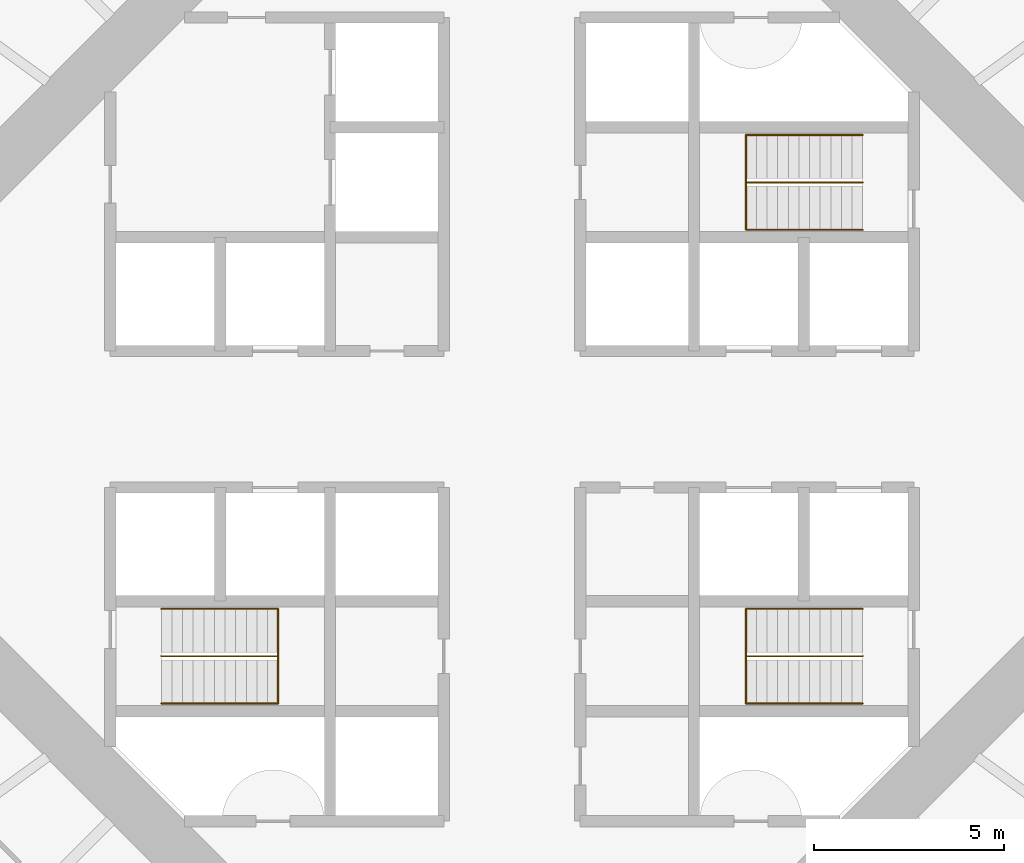
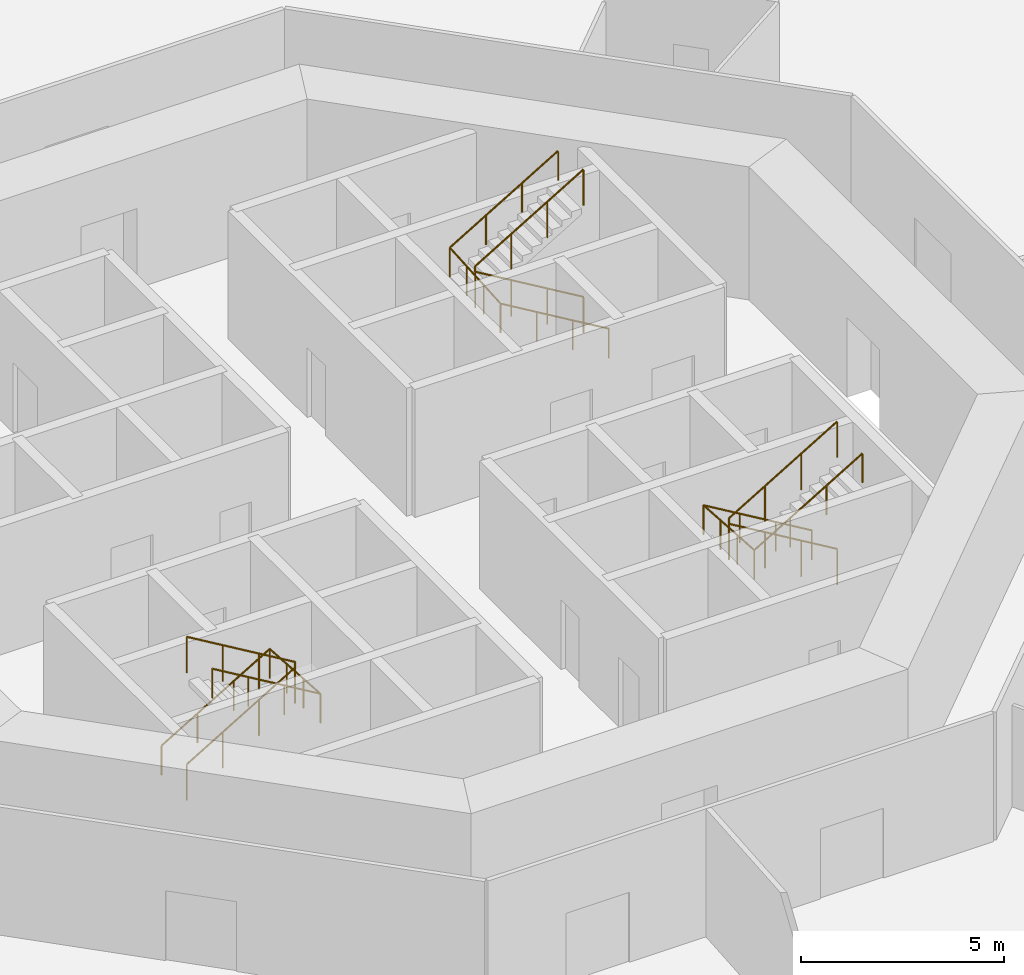
# One storey, part 12 of 12: 6 railings.
"""IFC4 building model written with IfcOpenShell, lengths in metres."""

from ifc_helpers import new_model, si_unit, direction, frame, origin, origin_2d, place, context, subcontext, project, spatial, circle, extrude, material, type_object, element, save


model = new_model("IFC4")

# Units and contexts
model_context = context("Model", 3, precision=1e-05, world=origin(), true_north=direction((0.0, 1.0)))
body_context = subcontext(model_context, "Body", "Model", "MODEL_VIEW")
ifc_project = project(units=[si_unit("LENGTHUNIT", "METRE"), si_unit("AREAUNIT", "SQUARE_METRE"), si_unit("VOLUMEUNIT", "CUBIC_METRE"), si_unit("PLANEANGLEUNIT", "RADIAN"), si_unit("MASSUNIT", "GRAM", prefix="KILO")], contexts=[model_context])

# Site, building, storey
site_placement = place(None, origin())
site = spatial("IfcSite", under=ifc_project, at=site_placement, CompositionType="ELEMENT")
building_placement = place(site_placement, origin())
building = spatial("IfcBuilding", under=site, at=building_placement, Name="Entoto Ring Tower", CompositionType="ELEMENT")
storey_placement = place(building_placement, frame((0.0, 0.0, 66.0)))
storey = spatial("IfcBuildingStorey", under=building, at=storey_placement, Name="L14", CompositionType="ELEMENT", Elevation=66.0)

# Railings
ifc_material_1 = material(Name="Steel S275", Category="steel")
railing_type_1 = type_object("IfcRailingType", Name="Stair guard 1100 mm steel", PredefinedType="GUARDRAIL", material=ifc_material_1)
railing_1_placement = place(storey_placement, frame((99.25, 86.25, 0.166748046875)))
element("IfcRailing", 1, at=railing_1_placement, inside=storey, type_object=railing_type_1, Name="Guard ST1", PredefinedType="GUARDRAIL", context=body_context, shape_type="SweptSolid", body=[
    extrude(circle(Radius=0.02392578125, at=origin_2d()), frame((0.0, 0.0, 1.076171875), z_axis=(-0.859308565015, 0.0, 0.511457515432), x_axis=(0.0, -1.0, 0.0)), (0.0, 0.0, 1.0), 3.58447265625),
    extrude(circle(Radius=0.02392578125, at=origin_2d()), frame((-3.080078125, 0.0, 2.9091796875), z_axis=(0.0, 0.0, 1.0), x_axis=(1.0, 0.0, 0.0)), (0.0, 0.0, 1.0), 0.166748046875),
    extrude(circle(Radius=0.02392578125, at=origin_2d()), frame((-3.080078125, 0.0, 3.076171875), z_axis=(0.859308565015, 0.0, 0.511457515432), x_axis=(0.0, 1.0, 0.0)), (0.0, 0.0, 1.0), 3.58447265625),
    extrude(circle(Radius=0.02099609375, at=origin_2d()), origin(), (0.0, 0.0, 1.0), 1.052001953125),
    extrude(circle(Radius=0.02099609375, at=origin_2d()), frame((-1.026611328125, 0.0, 0.611083984375)), (0.0, 0.0, 1.0), 1.052001953125),
    extrude(circle(Radius=0.02099609375, at=origin_2d()), frame((-2.053466796875, 0.0, 1.22216796875)), (0.0, 0.0, 1.0), 1.052001953125),
    extrude(circle(Radius=0.02099609375, at=origin_2d()), frame((-3.080078125, 0.0, 1.833251953125)), (0.0, 0.0, 1.0), 1.052001953125),
    extrude(circle(Radius=0.02099609375, at=origin_2d()), frame((-3.080078125, 0.0, 2.0)), (0.0, 0.0, 1.0), 1.052001953125),
    extrude(circle(Radius=0.02099609375, at=origin_2d()), frame((-2.053466796875, 0.0, 2.611083984375)), (0.0, 0.0, 1.0), 1.052001953125),
    extrude(circle(Radius=0.02099609375, at=origin_2d()), frame((-1.026611328125, 0.0, 3.22216796875)), (0.0, 0.0, 1.0), 1.052001953125),
    extrude(circle(Radius=0.02099609375, at=origin_2d()), frame((0.0, 0.0, 3.833251953125)), (0.0, 0.0, 1.0), 1.052001953125),
])
railing_2_placement = place(storey_placement, frame((80.75, 73.75, 0.166748046875)))
element("IfcRailing", 2, at=railing_2_placement, inside=storey, type_object=railing_type_1, Name="Guard ST2", PredefinedType="GUARDRAIL", context=body_context, shape_type="SweptSolid", body=[
    extrude(circle(Radius=0.02392578125, at=origin_2d()), frame((0.0, 0.0, 1.076171875), z_axis=(0.859308565015, 0.0, 0.511457515432), x_axis=(0.0, 1.0, 0.0)), (0.0, 0.0, 1.0), 3.58447265625),
    extrude(circle(Radius=0.02392578125, at=origin_2d()), frame((3.080078125, 0.0, 2.9091796875), z_axis=(0.0, 0.0, 1.0), x_axis=(1.0, 0.0, 0.0)), (0.0, 0.0, 1.0), 0.166748046875),
    extrude(circle(Radius=0.02392578125, at=origin_2d()), frame((3.080078125, 0.0, 3.076171875), z_axis=(-0.859308565015, 0.0, 0.511457515432), x_axis=(0.0, -1.0, 0.0)), (0.0, 0.0, 1.0), 3.58447265625),
    extrude(circle(Radius=0.02099609375, at=origin_2d()), origin(), (0.0, 0.0, 1.0), 1.052001953125),
    extrude(circle(Radius=0.02099609375, at=origin_2d()), frame((1.026611328125, 0.0, 0.611083984375)), (0.0, 0.0, 1.0), 1.052001953125),
    extrude(circle(Radius=0.02099609375, at=origin_2d()), frame((2.053466796875, 0.0, 1.22216796875)), (0.0, 0.0, 1.0), 1.052001953125),
    extrude(circle(Radius=0.02099609375, at=origin_2d()), frame((3.080078125, 0.0, 1.833251953125)), (0.0, 0.0, 1.0), 1.052001953125),
    extrude(circle(Radius=0.02099609375, at=origin_2d()), frame((3.080078125, 0.0, 2.0)), (0.0, 0.0, 1.0), 1.052001953125),
    extrude(circle(Radius=0.02099609375, at=origin_2d()), frame((2.053466796875, 0.0, 2.611083984375)), (0.0, 0.0, 1.0), 1.052001953125),
    extrude(circle(Radius=0.02099609375, at=origin_2d()), frame((1.026611328125, 0.0, 3.22216796875)), (0.0, 0.0, 1.0), 1.052001953125),
    extrude(circle(Radius=0.02099609375, at=origin_2d()), frame((0.0, 0.0, 3.833251953125)), (0.0, 0.0, 1.0), 1.052001953125),
])
railing_3_placement = place(storey_placement, frame((99.25, 73.75, 0.166748046875)))
element("IfcRailing", 3, at=railing_3_placement, inside=storey, type_object=railing_type_1, Name="Guard ST3", PredefinedType="GUARDRAIL", context=body_context, shape_type="SweptSolid", body=[
    extrude(circle(Radius=0.02392578125, at=origin_2d()), frame((0.0, 0.0, 1.076171875), z_axis=(-0.859308565015, 0.0, 0.511457515432), x_axis=(0.0, -1.0, 0.0)), (0.0, 0.0, 1.0), 3.58447265625),
    extrude(circle(Radius=0.02392578125, at=origin_2d()), frame((-3.080078125, 0.0, 2.9091796875), z_axis=(0.0, 0.0, 1.0), x_axis=(1.0, 0.0, 0.0)), (0.0, 0.0, 1.0), 0.166748046875),
    extrude(circle(Radius=0.02392578125, at=origin_2d()), frame((-3.080078125, 0.0, 3.076171875), z_axis=(0.859308565015, 0.0, 0.511457515432), x_axis=(0.0, 1.0, 0.0)), (0.0, 0.0, 1.0), 3.58447265625),
    extrude(circle(Radius=0.02099609375, at=origin_2d()), origin(), (0.0, 0.0, 1.0), 1.052001953125),
    extrude(circle(Radius=0.02099609375, at=origin_2d()), frame((-1.026611328125, 0.0, 0.611083984375)), (0.0, 0.0, 1.0), 1.052001953125),
    extrude(circle(Radius=0.02099609375, at=origin_2d()), frame((-2.053466796875, 0.0, 1.22216796875)), (0.0, 0.0, 1.0), 1.052001953125),
    extrude(circle(Radius=0.02099609375, at=origin_2d()), frame((-3.080078125, 0.0, 1.833251953125)), (0.0, 0.0, 1.0), 1.052001953125),
    extrude(circle(Radius=0.02099609375, at=origin_2d()), frame((-3.080078125, 0.0, 2.0)), (0.0, 0.0, 1.0), 1.052001953125),
    extrude(circle(Radius=0.02099609375, at=origin_2d()), frame((-2.053466796875, 0.0, 2.611083984375)), (0.0, 0.0, 1.0), 1.052001953125),
    extrude(circle(Radius=0.02099609375, at=origin_2d()), frame((-1.026611328125, 0.0, 3.22216796875)), (0.0, 0.0, 1.0), 1.052001953125),
    extrude(circle(Radius=0.02099609375, at=origin_2d()), frame((0.0, 0.0, 3.833251953125)), (0.0, 0.0, 1.0), 1.052001953125),
])
ifc_material_2 = material(Name="Steel S275", Category="steel")
railing_type_2 = type_object("IfcRailingType", Name="Stair handrail 900 mm steel", PredefinedType="HANDRAIL", material=ifc_material_2)
railing_4_placement = place(storey_placement, frame((99.25, 85.0, 0.166748046875)))
element("IfcRailing", 4, at=railing_4_placement, inside=storey, type_object=railing_type_2, Name="Handrail ST1", PredefinedType="HANDRAIL", context=body_context, shape_type="SweptSolid", body=[
    extrude(circle(Radius=0.02392578125, at=origin_2d()), frame((0.0, 0.0, 0.8759765625), z_axis=(-0.859308565015, 0.0, 0.511457515432), x_axis=(0.0, -1.0, 0.0)), (0.0, 0.0, 1.0), 3.58447265625),
    extrude(circle(Radius=0.02392578125, at=origin_2d()), frame((-3.080078125, 0.0, 2.708984375), z_axis=(0.0, 0.997783001586, 0.066551346688), x_axis=(-1.0, 0.0, 0.0)), (0.0, 0.0, 1.0), 2.505615234375),
    extrude(circle(Radius=0.02392578125, at=origin_2d()), frame((-3.080078125, 2.5, 2.8759765625), z_axis=(0.859308565015, 0.0, 0.511457515432), x_axis=(0.0, 1.0, 0.0)), (0.0, 0.0, 1.0), 3.58447265625),
    extrude(circle(Radius=0.02099609375, at=origin_2d()), origin(), (0.0, 0.0, 1.0), 0.851806640625),
    extrude(circle(Radius=0.02099609375, at=origin_2d()), frame((-1.026611328125, 0.0, 0.611083984375)), (0.0, 0.0, 1.0), 0.851806640625),
    extrude(circle(Radius=0.02099609375, at=origin_2d()), frame((-2.053466796875, 0.0, 1.22216796875)), (0.0, 0.0, 1.0), 0.851806640625),
    extrude(circle(Radius=0.02099609375, at=origin_2d()), frame((-3.080078125, 0.0, 1.833251953125)), (0.0, 0.0, 1.0), 0.851806640625),
    extrude(circle(Radius=0.02099609375, at=origin_2d()), frame((-3.080078125, 0.833251953125, 1.888916015625)), (0.0, 0.0, 1.0), 0.851806640625),
    extrude(circle(Radius=0.02099609375, at=origin_2d()), frame((-3.080078125, 1.666748046875, 1.9443359375)), (0.0, 0.0, 1.0), 0.851806640625),
    extrude(circle(Radius=0.02099609375, at=origin_2d()), frame((-3.080078125, 2.5, 2.0)), (0.0, 0.0, 1.0), 0.851806640625),
    extrude(circle(Radius=0.02099609375, at=origin_2d()), frame((-2.053466796875, 2.5, 2.611083984375)), (0.0, 0.0, 1.0), 0.851806640625),
    extrude(circle(Radius=0.02099609375, at=origin_2d()), frame((-1.026611328125, 2.5, 3.22216796875)), (0.0, 0.0, 1.0), 0.851806640625),
    extrude(circle(Radius=0.02099609375, at=origin_2d()), frame((0.0, 2.5, 3.833251953125)), (0.0, 0.0, 1.0), 0.851806640625),
])
railing_5_placement = place(storey_placement, frame((80.75, 75.0, 0.166748046875)))
element("IfcRailing", 5, at=railing_5_placement, inside=storey, type_object=railing_type_2, Name="Handrail ST2", PredefinedType="HANDRAIL", context=body_context, shape_type="SweptSolid", body=[
    extrude(circle(Radius=0.02392578125, at=origin_2d()), frame((0.0, 0.0, 0.8759765625), z_axis=(0.859308565015, 0.0, 0.511457515432), x_axis=(0.0, 1.0, 0.0)), (0.0, 0.0, 1.0), 3.58447265625),
    extrude(circle(Radius=0.02392578125, at=origin_2d()), frame((3.080078125, 0.0, 2.708984375), z_axis=(0.0, -0.997783001586, 0.066551346688), x_axis=(1.0, 0.0, 0.0)), (0.0, 0.0, 1.0), 2.505615234375),
    extrude(circle(Radius=0.02392578125, at=origin_2d()), frame((3.080078125, -2.5, 2.8759765625), z_axis=(-0.859308565015, 0.0, 0.511457515432), x_axis=(0.0, -1.0, 0.0)), (0.0, 0.0, 1.0), 3.58447265625),
    extrude(circle(Radius=0.02099609375, at=origin_2d()), origin(), (0.0, 0.0, 1.0), 0.851806640625),
    extrude(circle(Radius=0.02099609375, at=origin_2d()), frame((1.026611328125, 0.0, 0.611083984375)), (0.0, 0.0, 1.0), 0.851806640625),
    extrude(circle(Radius=0.02099609375, at=origin_2d()), frame((2.053466796875, 0.0, 1.22216796875)), (0.0, 0.0, 1.0), 0.851806640625),
    extrude(circle(Radius=0.02099609375, at=origin_2d()), frame((3.080078125, 0.0, 1.833251953125)), (0.0, 0.0, 1.0), 0.851806640625),
    extrude(circle(Radius=0.02099609375, at=origin_2d()), frame((3.080078125, -0.833251953125, 1.888916015625)), (0.0, 0.0, 1.0), 0.851806640625),
    extrude(circle(Radius=0.02099609375, at=origin_2d()), frame((3.080078125, -1.666748046875, 1.9443359375)), (0.0, 0.0, 1.0), 0.851806640625),
    extrude(circle(Radius=0.02099609375, at=origin_2d()), frame((3.080078125, -2.5, 2.0)), (0.0, 0.0, 1.0), 0.851806640625),
    extrude(circle(Radius=0.02099609375, at=origin_2d()), frame((2.053466796875, -2.5, 2.611083984375)), (0.0, 0.0, 1.0), 0.851806640625),
    extrude(circle(Radius=0.02099609375, at=origin_2d()), frame((1.026611328125, -2.5, 3.22216796875)), (0.0, 0.0, 1.0), 0.851806640625),
    extrude(circle(Radius=0.02099609375, at=origin_2d()), frame((0.0, -2.5, 3.833251953125)), (0.0, 0.0, 1.0), 0.851806640625),
])
railing_6_placement = place(storey_placement, frame((99.25, 75.0, 0.166748046875)))
element("IfcRailing", 6, at=railing_6_placement, inside=storey, type_object=railing_type_2, Name="Handrail ST3", PredefinedType="HANDRAIL", context=body_context, shape_type="SweptSolid", body=[
    extrude(circle(Radius=0.02392578125, at=origin_2d()), frame((0.0, 0.0, 0.8759765625), z_axis=(-0.859308565015, 0.0, 0.511457515432), x_axis=(0.0, -1.0, 0.0)), (0.0, 0.0, 1.0), 3.58447265625),
    extrude(circle(Radius=0.02392578125, at=origin_2d()), frame((-3.080078125, 0.0, 2.708984375), z_axis=(0.0, -0.997783001586, 0.066551346688), x_axis=(1.0, 0.0, 0.0)), (0.0, 0.0, 1.0), 2.505615234375),
    extrude(circle(Radius=0.02392578125, at=origin_2d()), frame((-3.080078125, -2.5, 2.8759765625), z_axis=(0.859308565015, 0.0, 0.511457515432), x_axis=(0.0, 1.0, 0.0)), (0.0, 0.0, 1.0), 3.58447265625),
    extrude(circle(Radius=0.02099609375, at=origin_2d()), origin(), (0.0, 0.0, 1.0), 0.851806640625),
    extrude(circle(Radius=0.02099609375, at=origin_2d()), frame((-1.026611328125, 0.0, 0.611083984375)), (0.0, 0.0, 1.0), 0.851806640625),
    extrude(circle(Radius=0.02099609375, at=origin_2d()), frame((-2.053466796875, 0.0, 1.22216796875)), (0.0, 0.0, 1.0), 0.851806640625),
    extrude(circle(Radius=0.02099609375, at=origin_2d()), frame((-3.080078125, 0.0, 1.833251953125)), (0.0, 0.0, 1.0), 0.851806640625),
    extrude(circle(Radius=0.02099609375, at=origin_2d()), frame((-3.080078125, -0.833251953125, 1.888916015625)), (0.0, 0.0, 1.0), 0.851806640625),
    extrude(circle(Radius=0.02099609375, at=origin_2d()), frame((-3.080078125, -1.666748046875, 1.9443359375)), (0.0, 0.0, 1.0), 0.851806640625),
    extrude(circle(Radius=0.02099609375, at=origin_2d()), frame((-3.080078125, -2.5, 2.0)), (0.0, 0.0, 1.0), 0.851806640625),
    extrude(circle(Radius=0.02099609375, at=origin_2d()), frame((-2.053466796875, -2.5, 2.611083984375)), (0.0, 0.0, 1.0), 0.851806640625),
    extrude(circle(Radius=0.02099609375, at=origin_2d()), frame((-1.026611328125, -2.5, 3.22216796875)), (0.0, 0.0, 1.0), 0.851806640625),
    extrude(circle(Radius=0.02099609375, at=origin_2d()), frame((0.0, -2.5, 3.833251953125)), (0.0, 0.0, 1.0), 0.851806640625),
])

save(model, "model.ifc")
